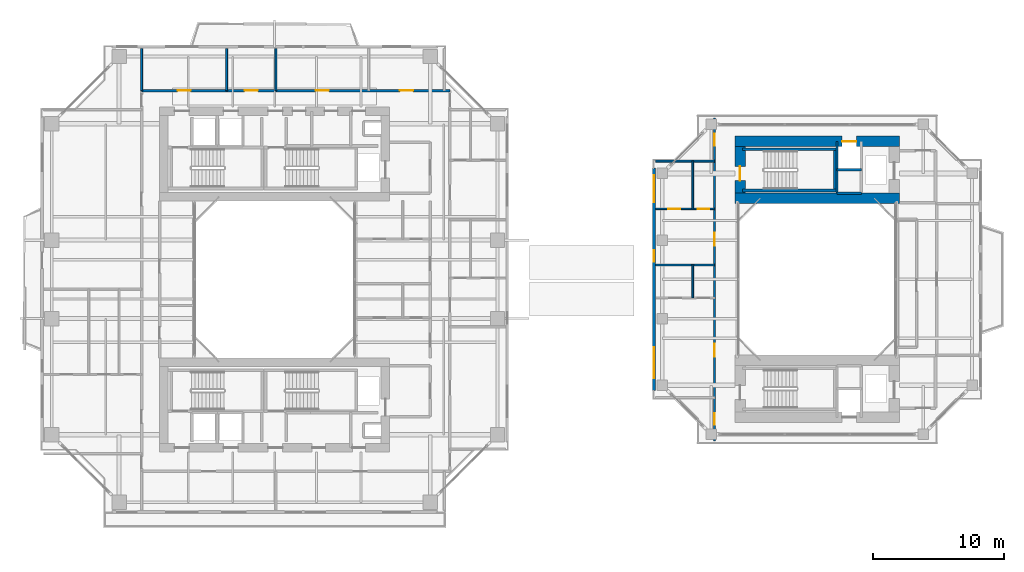
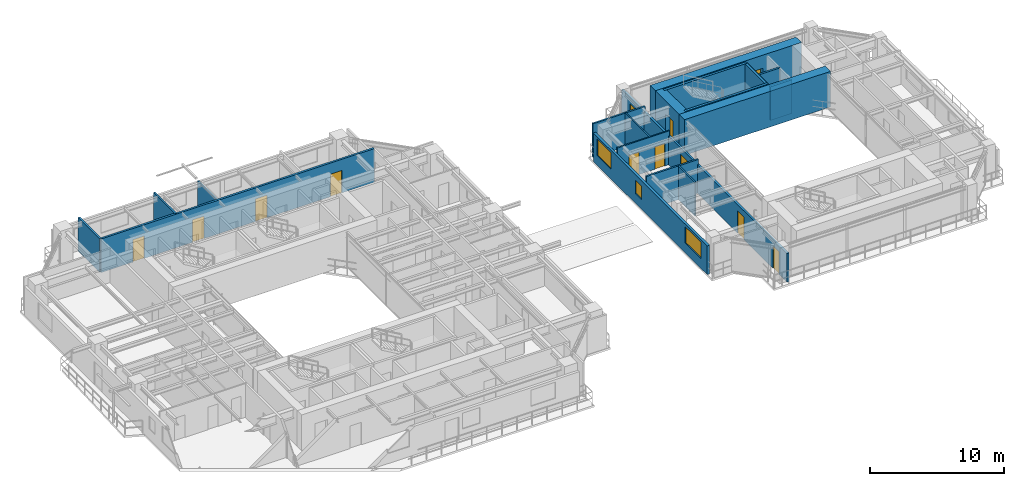
# One storey, part 17 of 23: 20 walls, 12 doors, 3 windows, 15 openings.
"""IFC4 building model written with IfcOpenShell, lengths in metres."""

from ifc_helpers import new_model, si_unit, direction, frame, frame_2d, origin, place, context, subcontext, project, spatial, rectangle, extrude, source, transform, mapped, material, layer, layer_set, type_object, element, fill, save


model = new_model("IFC4")

# Units and contexts
model_context = context("Model", 3, precision=1e-05, world=origin(), true_north=direction((0.0, 1.0)))
body_context = subcontext(model_context, "Body", "Model", "MODEL_VIEW")
ifc_project = project(units=[si_unit("LENGTHUNIT", "METRE"), si_unit("AREAUNIT", "SQUARE_METRE"), si_unit("VOLUMEUNIT", "CUBIC_METRE"), si_unit("PLANEANGLEUNIT", "RADIAN"), si_unit("MASSUNIT", "GRAM", prefix="KILO"), si_unit("THERMODYNAMICTEMPERATUREUNIT", "KELVIN"), si_unit("POWERUNIT", "WATT")], contexts=[model_context])

# Site, building, storey
site_placement = place(None, origin())
site = spatial("IfcSite", under=ifc_project, at=site_placement, CompositionType="ELEMENT")
building_placement = place(site_placement, origin())
building = spatial("IfcBuilding", under=site, at=building_placement, Name="Qiaomeng Ring Towers", CompositionType="ELEMENT")
storey_placement = place(building_placement, frame((0.0, 0.0, 97.0)))
storey = spatial("IfcBuildingStorey", under=building, at=storey_placement, Name="L27", CompositionType="ELEMENT", Elevation=97.0)

# Wall, openings, windows
ifc_material_1 = material(Name="Precast concrete C40", Category="concrete")
ifc_layer_1 = layer(ifc_material_1, 0.219970703125, Name="Precast concrete C40")
ifc_layer_set_1 = layer_set([ifc_layer_1], Name="Precast concrete C40")
wall_type_1 = type_object("IfcWallType", Name="ARC-WL-EW2", PredefinedType="STANDARD", material=ifc_layer_set_1)
wall_1_placement = place(storey_placement, frame((48.010009765625, 14.5, 0.0), z_axis=(0.0, 0.0, 1.0), x_axis=(0.0, 1.0, 0.0)))
wall_1 = element("IfcWall", 1, at=wall_1_placement, inside=storey, type_object=wall_type_1, Name="L27 Companion West Wall", PredefinedType="STANDARD", context=body_context, shape_type="SweptSolid", body=[
    extrude(rectangle(XDim=17.0, YDim=0.219970703125, at=frame_2d((8.5, 0.0))), origin(), (0.0, 0.0, 1.0), 2.610107421875),
])
opening_1_placement = place(wall_1_placement, frame((0.925048828125, 0.0, 0.89990234375)))
opening_1 = element("IfcOpeningElement", 2, at=opening_1_placement, cuts=wall_1, Name="Opening WN6", PredefinedType="OPENING", context=body_context, shape_type="SweptSolid", body=[
    extrude(rectangle(XDim=2.39990234375, YDim=1.47998046875, at=frame_2d((1.199951171875, 0.739990234375))), frame((0.0, 0.119873046875, 0.0), z_axis=(0.0, -1.0, 0.0), x_axis=(1.0, 0.0, 0.0)), (0.0, 0.0, 1.0), 0.239990234375),
])
opening_2_placement = place(wall_1_placement, frame((14.3798828125, 0.0, 0.89990234375)))
opening_2 = element("IfcOpeningElement", 3, at=opening_2_placement, cuts=wall_1, Name="Opening WN4", PredefinedType="OPENING", context=body_context, shape_type="SweptSolid", body=[
    extrude(rectangle(XDim=2.10009765625, YDim=1.5, at=frame_2d((1.050048828125, 0.75))), frame((0.0, 0.119873046875, 0.0), z_axis=(0.0, -1.0, 0.0), x_axis=(1.0, 0.0, 0.0)), (0.0, 0.0, 1.0), 0.239990234375),
])
opening_3_placement = place(wall_1_placement, frame((9.8349609375, 0.0, 0.89990234375)))
opening_3 = element("IfcOpeningElement", 4, at=opening_3_placement, cuts=wall_1, Name="Opening WN5", PredefinedType="OPENING", context=body_context, shape_type="SweptSolid", body=[
    extrude(rectangle(XDim=0.89990234375, YDim=1.199951171875, at=frame_2d((0.449951171875, 0.60009765625))), frame((0.0, 0.119873046875, 0.0), z_axis=(0.0, -1.0, 0.0), x_axis=(1.0, 0.0, 0.0)), (0.0, 0.0, 1.0), 0.239990234375),
])
ifc_material_2 = material(Name="Low-E dark-grey laminated double glazing", Category="glass")
window_type_1 = type_object("IfcWindowType", Name="ARC-WN-4", PartitioningType="TRIPLE_PANEL_VERTICAL", PredefinedType="WINDOW", material=ifc_material_2)
shared_shape_1 = source(origin(), body_context, "Body", "SweptSolid", [
    extrude(rectangle(XDim=2.10009765625, YDim=1.5, at=frame_2d((1.050048828125, 0.75))), frame((0.0, 0.030029296875, 0.0), z_axis=(0.0, -1.0, 0.0), x_axis=(1.0, 0.0, 0.0)), (0.0, 0.0, 1.0), 0.06005859375),
])
window_1_placement = place(opening_2_placement, origin())
window_1 = element("IfcWindow", 5, at=window_1_placement, inside=storey, type_object=window_type_1, Name="L27 Exterior Window WN4", OverallHeight=1.5, OverallWidth=2.10009765625, PartitioningType="TRIPLE_PANEL_VERTICAL", PredefinedType="WINDOW", context=body_context, shape_type="MappedRepresentation", body=[
    mapped(shared_shape_1, transform((0.0, 0.0, 0.0), x_axis=(1.0, 0.0, 0.0), y_axis=(0.0, 1.0, 0.0), z_axis=(0.0, 0.0, 1.0), scale=1.0)),
])
fill(opening_2, window_1)
window_type_2 = type_object("IfcWindowType", Name="ARC-WN-6", PartitioningType="TRIPLE_PANEL_VERTICAL", PredefinedType="WINDOW", material=ifc_material_2)
shared_shape_2 = source(origin(), body_context, "Body", "SweptSolid", [
    extrude(rectangle(XDim=2.39990234375, YDim=1.47998046875, at=frame_2d((1.199951171875, 0.739990234375))), frame((0.0, 0.030029296875, 0.0), z_axis=(0.0, -1.0, 0.0), x_axis=(1.0, 0.0, 0.0)), (0.0, 0.0, 1.0), 0.06005859375),
])
window_2_placement = place(opening_1_placement, origin())
window_2 = element("IfcWindow", 6, at=window_2_placement, inside=storey, type_object=window_type_2, Name="L27 Exterior Window WN6", OverallHeight=1.47998046875, OverallWidth=2.39990234375, PartitioningType="TRIPLE_PANEL_VERTICAL", PredefinedType="WINDOW", context=body_context, shape_type="MappedRepresentation", body=[
    mapped(shared_shape_2, transform((0.0, 0.0, 0.0), x_axis=(1.0, 0.0, 0.0), y_axis=(0.0, 1.0, 0.0), z_axis=(0.0, 0.0, 1.0), scale=1.0)),
])
fill(opening_1, window_2)
window_type_3 = type_object("IfcWindowType", Name="ARC-WN-5", PartitioningType="SINGLE_PANEL", PredefinedType="WINDOW", material=ifc_material_2)
shared_shape_3 = source(origin(), body_context, "Body", "SweptSolid", [
    extrude(rectangle(XDim=0.89990234375, YDim=1.199951171875, at=frame_2d((0.449951171875, 0.60009765625))), frame((0.0, 0.030029296875, 0.0), z_axis=(0.0, -1.0, 0.0), x_axis=(1.0, 0.0, 0.0)), (0.0, 0.0, 1.0), 0.06005859375),
])
window_3_placement = place(opening_3_placement, origin())
window_3 = element("IfcWindow", 7, at=window_3_placement, inside=storey, type_object=window_type_3, Name="L27 Exterior Window WN5", OverallHeight=1.199951171875, OverallWidth=0.89990234375, PartitioningType="SINGLE_PANEL", PredefinedType="WINDOW", context=body_context, shape_type="MappedRepresentation", body=[
    mapped(shared_shape_3, transform((0.0, 0.0, 0.0), x_axis=(1.0, 0.0, 0.0), y_axis=(0.0, 1.0, 0.0), z_axis=(0.0, 0.0, 1.0), scale=1.0)),
])
fill(opening_3, window_3)

# Wall, openings, doors
ifc_material_3 = material(Name="Autoclaved aerated concrete block", Category="concrete")
ifc_layer_2 = layer(ifc_material_3, 0.179931640625, Name="Autoclaved aerated concrete block")
ifc_layer_set_2 = layer_set([ifc_layer_2], Name="Autoclaved aerated concrete block")
wall_type_2 = type_object("IfcWallType", Name="ARC-WL-PW2", PredefinedType="PARTITIONING", material=ifc_layer_set_2)
wall_2_placement = place(storey_placement, frame((8.820068359375, 37.43994140625, 0.0), z_axis=(0.0, 0.0, 1.0), x_axis=(1.0, 0.0, 0.0)))
wall_2 = element("IfcWall", 8, at=wall_2_placement, inside=storey, type_object=wall_type_2, Name="L27 Interior Wall PW2", PredefinedType="PARTITIONING", context=body_context, shape_type="SweptSolid", body=[
    extrude(rectangle(XDim=23.579833984375, YDim=0.179931640625, at=frame_2d((11.7900390625, 0.0))), origin(), (0.0, 0.0, 1.0), 3.070068359375),
])
opening_4_placement = place(wall_2_placement, frame((2.75, 0.0, 0.0)))
opening_4 = element("IfcOpeningElement", 9, at=opening_4_placement, cuts=wall_2, Name="Opening FD4", PredefinedType="OPENING", context=body_context, shape_type="SweptSolid", body=[
    extrude(rectangle(XDim=1.0, YDim=2.050048828125, at=frame_2d((0.5, 1.02490234375))), frame((0.0, 0.099853515625, 0.0), z_axis=(0.0, -1.0, 0.0), x_axis=(1.0, 0.0, 0.0)), (0.0, 0.0, 1.0), 0.199951171875),
])
opening_5_placement = place(wall_2_placement, frame((7.889892578125, 0.0, 0.0)))
opening_5 = element("IfcOpeningElement", 10, at=opening_5_placement, cuts=wall_2, Name="Opening FD4", PredefinedType="OPENING", context=body_context, shape_type="SweptSolid", body=[
    extrude(rectangle(XDim=1.0, YDim=2.050048828125, at=frame_2d((0.5, 1.02490234375))), frame((0.0, 0.099853515625, 0.0), z_axis=(0.0, -1.0, 0.0), x_axis=(1.0, 0.0, 0.0)), (0.0, 0.0, 1.0), 0.199951171875),
])
opening_6_placement = place(wall_2_placement, frame((13.324951171875, 0.0, 0.0)))
opening_6 = element("IfcOpeningElement", 11, at=opening_6_placement, cuts=wall_2, Name="Opening FD4", PredefinedType="OPENING", context=body_context, shape_type="SweptSolid", body=[
    extrude(rectangle(XDim=1.0, YDim=2.050048828125, at=frame_2d((0.5, 1.02490234375))), frame((0.0, 0.099853515625, 0.0), z_axis=(0.0, -1.0, 0.0), x_axis=(1.0, 0.0, 0.0)), (0.0, 0.0, 1.0), 0.199951171875),
])
opening_7_placement = place(wall_2_placement, frame((19.764892578125, 0.0, 0.0)))
opening_7 = element("IfcOpeningElement", 12, at=opening_7_placement, cuts=wall_2, Name="Opening FD4", PredefinedType="OPENING", context=body_context, shape_type="SweptSolid", body=[
    extrude(rectangle(XDim=1.0, YDim=2.050048828125, at=frame_2d((0.5, 1.02490234375))), frame((0.0, 0.099853515625, 0.0), z_axis=(0.0, -1.0, 0.0), x_axis=(1.0, 0.0, 0.0)), (0.0, 0.0, 1.0), 0.199951171875),
])
ifc_material_4 = material(Name="Engineered fire-rated oak timber", Category="wood")
door_type_1 = type_object("IfcDoorType", Name="ARC-DR-FD4", OperationType="NOTDEFINED", PredefinedType="DOOR", material=ifc_material_4)
shared_shape_4 = source(origin(), body_context, "Body", "SweptSolid", [
    extrude(rectangle(XDim=1.0, YDim=2.050048828125, at=frame_2d((0.5, 1.02490234375))), frame((0.0, 0.02490234375, 0.0), z_axis=(0.0, -1.0, 0.0), x_axis=(1.0, 0.0, 0.0)), (0.0, 0.0, 1.0), 0.050048828125),
])
door_1_placement = place(opening_4_placement, origin())
door_1 = element("IfcDoor", 13, at=door_1_placement, inside=storey, type_object=door_type_1, Name="L27 Door FD4", OperationType="SINGLE_SWING_LEFT", OverallHeight=2.050048828125, OverallWidth=1.0, PredefinedType="DOOR", context=body_context, shape_type="MappedRepresentation", body=[
    mapped(shared_shape_4, transform((0.0, 0.0, 0.0), x_axis=(1.0, 0.0, 0.0), y_axis=(0.0, 1.0, 0.0), z_axis=(0.0, 0.0, 1.0), scale=1.0)),
])
fill(opening_4, door_1)
door_2_placement = place(opening_5_placement, origin())
door_2 = element("IfcDoor", 14, at=door_2_placement, inside=storey, type_object=door_type_1, Name="L27 Door FD4", OperationType="SINGLE_SWING_RIGHT", OverallHeight=2.050048828125, OverallWidth=1.0, PredefinedType="DOOR", context=body_context, shape_type="MappedRepresentation", body=[
    mapped(shared_shape_4, transform((0.0, 0.0, 0.0), x_axis=(1.0, 0.0, 0.0), y_axis=(0.0, 1.0, 0.0), z_axis=(0.0, 0.0, 1.0), scale=1.0)),
])
fill(opening_5, door_2)
door_3_placement = place(opening_6_placement, origin())
door_3 = element("IfcDoor", 15, at=door_3_placement, inside=storey, type_object=door_type_1, Name="L27 Door FD4", OperationType="SINGLE_SWING_LEFT", OverallHeight=2.050048828125, OverallWidth=1.0, PredefinedType="DOOR", context=body_context, shape_type="MappedRepresentation", body=[
    mapped(shared_shape_4, transform((0.0, 0.0, 0.0), x_axis=(1.0, 0.0, 0.0), y_axis=(0.0, 1.0, 0.0), z_axis=(0.0, 0.0, 1.0), scale=1.0)),
])
fill(opening_6, door_3)
door_4_placement = place(opening_7_placement, origin())
door_4 = element("IfcDoor", 16, at=door_4_placement, inside=storey, type_object=door_type_1, Name="L27 Door FD4", OperationType="SINGLE_SWING_RIGHT", OverallHeight=2.050048828125, OverallWidth=1.0, PredefinedType="DOOR", context=body_context, shape_type="MappedRepresentation", body=[
    mapped(shared_shape_4, transform((0.0, 0.0, 0.0), x_axis=(1.0, 0.0, 0.0), y_axis=(0.0, 1.0, 0.0), z_axis=(0.0, 0.0, 1.0), scale=1.0)),
])
fill(opening_7, door_4)

wall_3_placement = place(storey_placement, frame((52.64990234375, 10.64990234375, 0.0), z_axis=(0.0, 0.0, 1.0), x_axis=(0.0, 1.0, 0.0)))
wall_3 = element("IfcWall", 17, at=wall_3_placement, inside=storey, type_object=wall_type_2, Name="L27 Interior Wall PW2", PredefinedType="PARTITIONING", context=body_context, shape_type="SweptSolid", body=[
    extrude(rectangle(XDim=24.7001953125, YDim=0.179931640625, at=frame_2d((12.35009765625, 0.0))), origin(), (0.0, 0.0, 1.0), 2.614990234375),
])
opening_8_placement = place(wall_3_placement, frame((22.580078125, 0.0, 0.0)))
opening_8 = element("IfcOpeningElement", 18, at=opening_8_placement, cuts=wall_3, Name="Opening ID1", PredefinedType="OPENING", context=body_context, shape_type="SweptSolid", body=[
    extrude(rectangle(XDim=0.89990234375, YDim=2.050048828125, at=frame_2d((0.449951171875, 1.02490234375))), frame((0.0, 0.099853515625, 0.0), z_axis=(0.0, -1.0, 0.0), x_axis=(1.0, 0.0, 0.0)), (0.0, 0.0, 1.0), 0.199951171875),
])
opening_9_placement = place(wall_3_placement, frame((1.219970703125, 0.0, 0.0)))
opening_9 = element("IfcOpeningElement", 19, at=opening_9_placement, cuts=wall_3, Name="Opening ID1", PredefinedType="OPENING", context=body_context, shape_type="SweptSolid", body=[
    extrude(rectangle(XDim=0.89990234375, YDim=2.050048828125, at=frame_2d((0.449951171875, 1.02490234375))), frame((0.0, 0.099853515625, 0.0), z_axis=(0.0, -1.0, 0.0), x_axis=(1.0, 0.0, 0.0)), (0.0, 0.0, 1.0), 0.199951171875),
])
opening_10_placement = place(wall_3_placement, frame((6.425048828125, 0.0, 0.0)))
opening_10 = element("IfcOpeningElement", 20, at=opening_10_placement, cuts=wall_3, Name="Opening FD4", PredefinedType="OPENING", context=body_context, shape_type="SweptSolid", body=[
    extrude(rectangle(XDim=1.0, YDim=2.050048828125, at=frame_2d((0.5, 1.02490234375))), frame((0.0, 0.099853515625, 0.0), z_axis=(0.0, -1.0, 0.0), x_axis=(1.0, 0.0, 0.0)), (0.0, 0.0, 1.0), 0.199951171875),
])
opening_11_placement = place(wall_3_placement, frame((14.905029296875, 0.0, 0.0)))
opening_11 = element("IfcOpeningElement", 21, at=opening_11_placement, cuts=wall_3, Name="Opening FD4", PredefinedType="OPENING", context=body_context, shape_type="SweptSolid", body=[
    extrude(rectangle(XDim=1.0, YDim=2.050048828125, at=frame_2d((0.5, 1.02490234375))), frame((0.0, 0.099853515625, 0.0), z_axis=(0.0, -1.0, 0.0), x_axis=(1.0, 0.0, 0.0)), (0.0, 0.0, 1.0), 0.199951171875),
])
door_5_placement = place(opening_10_placement, origin())
door_5 = element("IfcDoor", 22, at=door_5_placement, inside=storey, type_object=door_type_1, Name="L27 Door FD4", OperationType="SINGLE_SWING_LEFT", OverallHeight=2.050048828125, OverallWidth=1.0, PredefinedType="DOOR", context=body_context, shape_type="MappedRepresentation", body=[
    mapped(shared_shape_4, transform((0.0, 0.0, 0.0), x_axis=(1.0, 0.0, 0.0), y_axis=(0.0, 1.0, 0.0), z_axis=(0.0, 0.0, 1.0), scale=1.0)),
])
fill(opening_10, door_5)
door_6_placement = place(opening_11_placement, origin())
door_6 = element("IfcDoor", 23, at=door_6_placement, inside=storey, type_object=door_type_1, Name="L27 Door FD4", OperationType="SINGLE_SWING_RIGHT", OverallHeight=2.050048828125, OverallWidth=1.0, PredefinedType="DOOR", context=body_context, shape_type="MappedRepresentation", body=[
    mapped(shared_shape_4, transform((0.0, 0.0, 0.0), x_axis=(1.0, 0.0, 0.0), y_axis=(0.0, 1.0, 0.0), z_axis=(0.0, 0.0, 1.0), scale=1.0)),
])
fill(opening_11, door_6)
ifc_material_5 = material(Name="Engineered oak timber", Category="wood")
door_type_2 = type_object("IfcDoorType", Name="ARC-DR-ID1", OperationType="NOTDEFINED", PredefinedType="DOOR", material=ifc_material_5)
shared_shape_5 = source(origin(), body_context, "Body", "SweptSolid", [
    extrude(rectangle(XDim=0.89990234375, YDim=2.050048828125, at=frame_2d((0.449951171875, 1.02490234375))), frame((0.0, 0.02490234375, 0.0), z_axis=(0.0, -1.0, 0.0), x_axis=(1.0, 0.0, 0.0)), (0.0, 0.0, 1.0), 0.050048828125),
])
door_7_placement = place(opening_8_placement, origin())
door_7 = element("IfcDoor", 24, at=door_7_placement, inside=storey, type_object=door_type_2, Name="L27 Door ID1", OperationType="SINGLE_SWING_LEFT", OverallHeight=2.050048828125, OverallWidth=0.89990234375, PredefinedType="DOOR", context=body_context, shape_type="MappedRepresentation", body=[
    mapped(shared_shape_5, transform((0.0, 0.0, 0.0), x_axis=(1.0, 0.0, 0.0), y_axis=(0.0, 1.0, 0.0), z_axis=(0.0, 0.0, 1.0), scale=1.0)),
])
fill(opening_8, door_7)
door_8_placement = place(opening_9_placement, origin())
door_8 = element("IfcDoor", 25, at=door_8_placement, inside=storey, type_object=door_type_2, Name="L27 Door ID1", OperationType="SINGLE_SWING_RIGHT", OverallHeight=2.050048828125, OverallWidth=0.89990234375, PredefinedType="DOOR", context=body_context, shape_type="MappedRepresentation", body=[
    mapped(shared_shape_5, transform((0.0, 0.0, 0.0), x_axis=(1.0, 0.0, 0.0), y_axis=(0.0, 1.0, 0.0), z_axis=(0.0, 0.0, 1.0), scale=1.0)),
])
fill(opening_9, door_8)

# Walls
ifc_material_6 = material(Name="Gypsum fireboard steel-stud partition", Category="steel")
ifc_layer_3 = layer(ifc_material_6, 0.14990234375, Name="Gypsum fireboard steel-stud partition")
ifc_layer_set_3 = layer_set([ifc_layer_3], Name="Gypsum fireboard steel-stud partition")
wall_type_3 = type_object("IfcWallType", Name="ARC-WL-PW3", PredefinedType="PARTITIONING", material=ifc_layer_set_3)
wall_4_placement = place(storey_placement, frame((15.320068359375, 37.43994140625, 0.0), z_axis=(0.0, 0.0, 1.0), x_axis=(0.0, 1.0, 0.0)))
element("IfcWall", 26, at=wall_4_placement, inside=storey, type_object=wall_type_3, Name="L27 Interior Wall PW3", PredefinedType="PARTITIONING", context=body_context, shape_type="SweptSolid", body=[
    extrude(rectangle(XDim=3.2099609375, YDim=0.14990234375, at=frame_2d((1.60498046875, 0.0))), origin(), (0.0, 0.0, 1.0), 3.070068359375),
])
wall_5_placement = place(storey_placement, frame((19.10009765625, 37.43994140625, 0.0), z_axis=(0.0, 0.0, 1.0), x_axis=(0.0, 1.0, 0.0)))
element("IfcWall", 27, at=wall_5_placement, inside=storey, type_object=wall_type_3, Name="L27 Interior Wall PW3", PredefinedType="PARTITIONING", context=body_context, shape_type="SweptSolid", body=[
    extrude(rectangle(XDim=3.2099609375, YDim=0.14990234375, at=frame_2d((1.60498046875, 0.0))), origin(), (0.0, 0.0, 1.0), 2.81494140625),
])
wall_6_placement = place(storey_placement, frame((8.820068359375, 37.43994140625, 0.0), z_axis=(0.0, 0.0, 1.0), x_axis=(0.0, 1.0, 0.0)))
element("IfcWall", 28, at=wall_6_placement, inside=storey, type_object=wall_type_3, Name="L27 Interior Wall PW3", PredefinedType="PARTITIONING", context=body_context, shape_type="SweptSolid", body=[
    extrude(rectangle(XDim=3.2099609375, YDim=0.14990234375, at=frame_2d((1.60498046875, 0.0))), origin(), (0.0, 0.0, 1.0), 3.070068359375),
])
for number, where, z_axis, x_axis, name in (
    (29, (48.14990234375, 32.050048828125, 0.0), (0.0, 0.0, 1.0), (1.0, 0.0, 0.0), "L27 Interior Wall PW3"),
    (30, (48.14990234375, 24.10009765625, 0.0), (0.0, 0.0, 1.0), (1.0, 0.0, 0.0), "L27 Interior Wall PW3"),
):
    element("IfcWall", number, at=place(storey_placement, frame(where, z_axis=z_axis, x_axis=x_axis)), inside=storey, type_object=wall_type_3, Name=name, PredefinedType="PARTITIONING", context=body_context, shape_type="SweptSolid", body=[
        extrude(rectangle(XDim=4.5, YDim=0.14990234375, at=frame_2d((2.25, 0.0))), origin(), (0.0, 0.0, 1.0), 3.070068359375),
    ])
ifc_material_7 = material(Name="Moisture-resistant gypsum steel-stud partition", Category="steel")
ifc_layer_4 = layer(ifc_material_7, 0.1201171875, Name="Moisture-resistant gypsum steel-stud partition")
ifc_layer_set_4 = layer_set([ifc_layer_4], Name="Moisture-resistant gypsum steel-stud partition")
wall_type_4 = type_object("IfcWallType", Name="ARC-WL-PW4", PredefinedType="PLUMBINGWALL", material=ifc_layer_set_4)
wall_7_placement = place(storey_placement, frame((50.97998046875, 21.580078125, 0.0), z_axis=(0.0, 0.0, 1.0), x_axis=(0.0, 1.0, 0.0)))
element("IfcWall", 31, at=wall_7_placement, inside=storey, type_object=wall_type_4, Name="L27 Interior Wall PW4", PredefinedType="PLUMBINGWALL", context=body_context, shape_type="SweptSolid", body=[
    extrude(rectangle(XDim=2.52001953125, YDim=0.1201171875, at=frame_2d((1.260009765625, 0.0))), origin(), (0.0, 0.0, 1.0), 3.070068359375),
])

# Wall, openings, doors
wall_8_placement = place(storey_placement, frame((48.14990234375, 28.389892578125, 0.0), z_axis=(0.0, 0.0, 1.0), x_axis=(1.0, 0.0, 0.0)))
wall_8 = element("IfcWall", 32, at=wall_8_placement, inside=storey, type_object=wall_type_4, Name="L27 Interior Wall PW4", PredefinedType="PLUMBINGWALL", context=body_context, shape_type="SweptSolid", body=[
    extrude(rectangle(XDim=4.5, YDim=0.1201171875, at=frame_2d((2.25, 0.0))), origin(), (0.0, 0.0, 1.0), 3.070068359375),
])
opening_12_placement = place(wall_8_placement, frame((0.97509765625, 0.0, 0.0)))
opening_12 = element("IfcOpeningElement", 33, at=opening_12_placement, cuts=wall_8, Name="Opening ID1", PredefinedType="OPENING", context=body_context, shape_type="SweptSolid", body=[
    extrude(rectangle(XDim=0.89990234375, YDim=2.050048828125, at=frame_2d((0.449951171875, 1.02490234375))), frame((0.0, 0.070068359375, 0.0), z_axis=(0.0, -1.0, 0.0), x_axis=(1.0, 0.0, 0.0)), (0.0, 0.0, 1.0), 0.14013671875),
])
opening_13_placement = place(wall_8_placement, frame((3.22998046875, 0.0, 0.0)))
opening_13 = element("IfcOpeningElement", 34, at=opening_13_placement, cuts=wall_8, Name="Opening ID2", PredefinedType="OPENING", context=body_context, shape_type="SweptSolid", body=[
    extrude(rectangle(XDim=0.85009765625, YDim=2.050048828125, at=frame_2d((0.425048828125, 1.02490234375))), frame((0.0, 0.070068359375, 0.0), z_axis=(0.0, -1.0, 0.0), x_axis=(1.0, 0.0, 0.0)), (0.0, 0.0, 1.0), 0.14013671875),
])
ifc_material_8 = material(Name="Moisture-resistant engineered timber", Category="wood")
door_type_3 = type_object("IfcDoorType", Name="ARC-DR-ID2", OperationType="NOTDEFINED", PredefinedType="DOOR", material=ifc_material_8)
shared_shape_6 = source(origin(), body_context, "Body", "SweptSolid", [
    extrude(rectangle(XDim=0.85009765625, YDim=2.050048828125, at=frame_2d((0.425048828125, 1.02490234375))), frame((0.0, 0.02490234375, 0.0), z_axis=(0.0, -1.0, 0.0), x_axis=(1.0, 0.0, 0.0)), (0.0, 0.0, 1.0), 0.050048828125),
])
door_9_placement = place(opening_13_placement, origin())
door_9 = element("IfcDoor", 35, at=door_9_placement, inside=storey, type_object=door_type_3, Name="L27 Door ID2", OperationType="SINGLE_SWING_RIGHT", OverallHeight=2.050048828125, OverallWidth=0.85009765625, PredefinedType="DOOR", context=body_context, shape_type="MappedRepresentation", body=[
    mapped(shared_shape_6, transform((0.0, 0.0, 0.0), x_axis=(1.0, 0.0, 0.0), y_axis=(0.0, 1.0, 0.0), z_axis=(0.0, 0.0, 1.0), scale=1.0)),
])
fill(opening_13, door_9)
door_10_placement = place(opening_12_placement, origin())
door_10 = element("IfcDoor", 36, at=door_10_placement, inside=storey, type_object=door_type_2, Name="L27 Door ID1", OperationType="SINGLE_SWING_LEFT", OverallHeight=2.050048828125, OverallWidth=0.89990234375, PredefinedType="DOOR", context=body_context, shape_type="MappedRepresentation", body=[
    mapped(shared_shape_5, transform((0.0, 0.0, 0.0), x_axis=(1.0, 0.0, 0.0), y_axis=(0.0, 1.0, 0.0), z_axis=(0.0, 0.0, 1.0), scale=1.0)),
])
fill(opening_12, door_10)

# Walls
wall_9_placement = place(storey_placement, frame((50.97998046875, 28.389892578125, 0.0), z_axis=(0.0, 0.0, 1.0), x_axis=(0.0, 1.0, 0.0)))
element("IfcWall", 37, at=wall_9_placement, inside=storey, type_object=wall_type_4, Name="L27 Interior Wall PW4", PredefinedType="PLUMBINGWALL", context=body_context, shape_type="SweptSolid", body=[
    extrude(rectangle(XDim=3.66015625, YDim=0.1201171875, at=frame_2d((1.830078125, 0.0))), origin(), (0.0, 0.0, 1.0), 3.070068359375),
])
ifc_material_9 = material(Name="Concrete C40", Category="concrete")
ifc_layer_5 = layer(ifc_material_9, 0.199951171875, Name="Concrete C40")
ifc_layer_set_5 = layer_set([ifc_layer_5], Name="Concrete C40")
wall_type_5 = type_object("IfcWallType", Name="STR-WL-STSHAFT", PredefinedType="SHEAR", material=ifc_layer_set_5)
wall_10_placement = place(storey_placement, frame((62.02001953125, 29.60009765625, 0.0), z_axis=(0.0, 0.0, 1.0), x_axis=(0.0, 1.0, 0.0)))
element("IfcWall", 38, at=wall_10_placement, inside=storey, type_object=wall_type_5, Name="L27 Companion Lift Shaft West Wall N", PredefinedType="SHEAR", context=body_context, shape_type="SweptSolid", body=[
    extrude(rectangle(XDim=3.949951171875, YDim=0.179931640625, at=frame_2d((1.97509765625, 0.0))), origin(), (0.0, 0.0, 1.0), 3.070068359375),
])
for number, where, z_axis, x_axis, name in (
    (39, (62.02001953125, 31.3798828125, 0.0), (0.0, 0.0, 1.0), (1.0, 0.0, 0.0), "L27 Companion Lift Shaft Divider Wall N"),
    (40, (62.02001953125, 29.60009765625, 0.0), (0.0, 0.0, 1.0), (1.0, 0.0, 0.0), "L27 Companion Riser Shaft Back Wall N"),
):
    element("IfcWall", number, at=place(storey_placement, frame(where, z_axis=z_axis, x_axis=x_axis)), inside=storey, type_object=wall_type_5, Name=name, PredefinedType="SHEAR", context=body_context, shape_type="SweptSolid", body=[
        extrude(rectangle(XDim=1.85986328125, YDim=0.179931640625, at=frame_2d((0.929931640625, 0.0))), origin(), (0.0, 0.0, 1.0), 3.070068359375),
    ])
for number, where, z_axis, x_axis, name in (
    (41, (54.800048828125, 29.800048828125, 0.0), (0.0, 0.0, 1.0), (1.0, 0.0, 0.0), "L27 Stair ST5 South Shaft Shear Wall"),
    (42, (54.800048828125, 32.93994140625, 0.0), (0.0, 0.0, 1.0), (1.0, 0.0, 0.0), "L27 Stair ST5 North Shaft Shear Wall"),
):
    element("IfcWall", number, at=place(storey_placement, frame(where, z_axis=z_axis, x_axis=x_axis)), inside=storey, type_object=wall_type_5, Name=name, PredefinedType="SHEAR", context=body_context, shape_type="SweptSolid", body=[
        extrude(rectangle(XDim=7.14990234375, YDim=0.199951171875, at=frame_2d((3.574951171875, 0.0))), origin(), (0.0, 0.0, 1.0), 3.25),
    ])
wall_11_placement = place(storey_placement, frame((61.85009765625, 29.89990234375, 0.0), z_axis=(0.0, 0.0, 1.0), x_axis=(0.0, 1.0, 0.0)))
element("IfcWall", 43, at=wall_11_placement, inside=storey, type_object=wall_type_5, Name="L27 Stair ST5 East Shaft Shear Wall", PredefinedType="SHEAR", context=body_context, shape_type="SweptSolid", body=[
    extrude(rectangle(XDim=2.940185546875, YDim=0.199951171875, at=frame_2d((1.47021484375, 0.0))), origin(), (0.0, 0.0, 1.0), 3.25),
])
ifc_material_10 = material(Name="Concrete C60", Category="concrete")
ifc_layer_6 = layer(ifc_material_10, 0.800048828125, Name="Concrete C60")
ifc_layer_set_6 = layer_set([ifc_layer_6], Name="Concrete C60")
wall_type_6 = type_object("IfcWallType", Name="STR-WL-SW1", PredefinedType="SHEAR", material=ifc_layer_set_6)
wall_12_placement = place(storey_placement, frame((54.199951171875, 29.199951171875, 0.0), z_axis=(0.0, 0.0, 1.0), x_axis=(1.0, 0.0, 0.0)))
element("IfcWall", 44, at=wall_12_placement, inside=storey, type_object=wall_type_6, Name="L27 T2NC south core shear wall", PredefinedType="SHEAR", context=body_context, shape_type="SweptSolid", body=[
    extrude(rectangle(XDim=12.60009765625, YDim=0.800048828125, at=frame_2d((6.300048828125, 0.0))), origin(), (0.0, 0.0, 1.0), 3.25),
])

# Wall, opening, door
wall_13_placement = place(storey_placement, frame((54.199951171875, 33.550048828125, 0.0), z_axis=(0.0, 0.0, 1.0), x_axis=(1.0, 0.0, 0.0)))
wall_13 = element("IfcWall", 45, at=wall_13_placement, inside=storey, type_object=wall_type_6, Name="L27 T2NC north core shear wall", PredefinedType="SHEAR", context=body_context, shape_type="SweptSolid", body=[
    extrude(rectangle(XDim=12.60009765625, YDim=0.800048828125, at=frame_2d((6.300048828125, 0.0))), origin(), (0.0, 0.0, 1.0), 3.25),
])
opening_14_placement = place(wall_13_placement, frame((8.199951171875, 0.0, 0.0)))
opening_14 = element("IfcOpeningElement", 46, at=opening_14_placement, cuts=wall_13, Name="Opening LD1", PredefinedType="OPENING", context=body_context, shape_type="SweptSolid", body=[
    extrude(rectangle(XDim=1.10009765625, YDim=2.050048828125, at=frame_2d((0.550048828125, 1.02490234375))), frame((0.0, 0.409912109375, 0.0), z_axis=(0.0, -1.0, 0.0), x_axis=(1.0, 0.0, 0.0)), (0.0, 0.0, 1.0), 0.820068359375),
])
ifc_material_11 = material(Name="Stainless steel 316", Category="steel")
door_type_4 = type_object("IfcDoorType", Name="ARC-DR-LD1", OperationType="NOTDEFINED", PredefinedType="DOOR", material=ifc_material_11)
shared_shape_7 = source(origin(), body_context, "Body", "SweptSolid", [
    extrude(rectangle(XDim=1.10009765625, YDim=2.050048828125, at=frame_2d((0.550048828125, 1.02490234375))), frame((0.0, 0.02490234375, 0.0), z_axis=(0.0, -1.0, 0.0), x_axis=(1.0, 0.0, 0.0)), (0.0, 0.0, 1.0), 0.050048828125),
])
door_11_placement = place(opening_14_placement, origin())
door_11 = element("IfcDoor", 47, at=door_11_placement, inside=storey, type_object=door_type_4, Name="L27 Companion Lift LP7 Landing Door", OperationType="SLIDING_TO_LEFT", OverallHeight=2.050048828125, OverallWidth=1.10009765625, PredefinedType="DOOR", context=body_context, shape_type="MappedRepresentation", body=[
    mapped(shared_shape_7, transform((0.0, 0.0, 0.0), x_axis=(1.0, 0.0, 0.0), y_axis=(0.0, 1.0, 0.0), z_axis=(0.0, 0.0, 1.0), scale=1.0)),
])
fill(opening_14, door_11)

wall_14_placement = place(storey_placement, frame((54.60009765625, 29.60009765625, 0.0), z_axis=(0.0, 0.0, 1.0), x_axis=(0.0, 1.0, 0.0)))
wall_14 = element("IfcWall", 48, at=wall_14_placement, inside=storey, type_object=wall_type_6, Name="L27 T2NC west core shear wall", PredefinedType="SHEAR", context=body_context, shape_type="SweptSolid", body=[
    extrude(rectangle(XDim=3.5498046875, YDim=0.800048828125, at=frame_2d((1.77490234375, 0.0))), origin(), (0.0, 0.0, 1.0), 3.25),
])
opening_15_placement = place(wall_14_placement, frame((0.949951171875, 0.0, 0.0)))
opening_15 = element("IfcOpeningElement", 49, at=opening_15_placement, cuts=wall_14, Name="Opening FD3", PredefinedType="OPENING", context=body_context, shape_type="SweptSolid", body=[
    extrude(rectangle(XDim=1.10009765625, YDim=2.050048828125, at=frame_2d((0.550048828125, 1.02490234375))), frame((0.0, 0.409912109375, 0.0), z_axis=(0.0, -1.0, 0.0), x_axis=(1.0, 0.0, 0.0)), (0.0, 0.0, 1.0), 0.820068359375),
])
ifc_material_12 = material(Name="Galvanised steel", Category="steel")
door_type_5 = type_object("IfcDoorType", Name="ARC-DR-FD3", OperationType="NOTDEFINED", PredefinedType="DOOR", material=ifc_material_12)
door_12_placement = place(opening_15_placement, origin())
door_12 = element("IfcDoor", 50, at=door_12_placement, inside=storey, type_object=door_type_5, Name="L27 Stair ST5 Exit Door", OperationType="SINGLE_SWING_RIGHT", OverallHeight=2.050048828125, OverallWidth=1.10009765625, PredefinedType="DOOR", context=body_context, shape_type="MappedRepresentation", body=[
    mapped(shared_shape_7, transform((0.0, 0.0, 0.0), x_axis=(1.0, 0.0, 0.0), y_axis=(0.0, 1.0, 0.0), z_axis=(0.0, 0.0, 1.0), scale=1.0)),
])
fill(opening_15, door_12)

save(model, "model.ifc")
